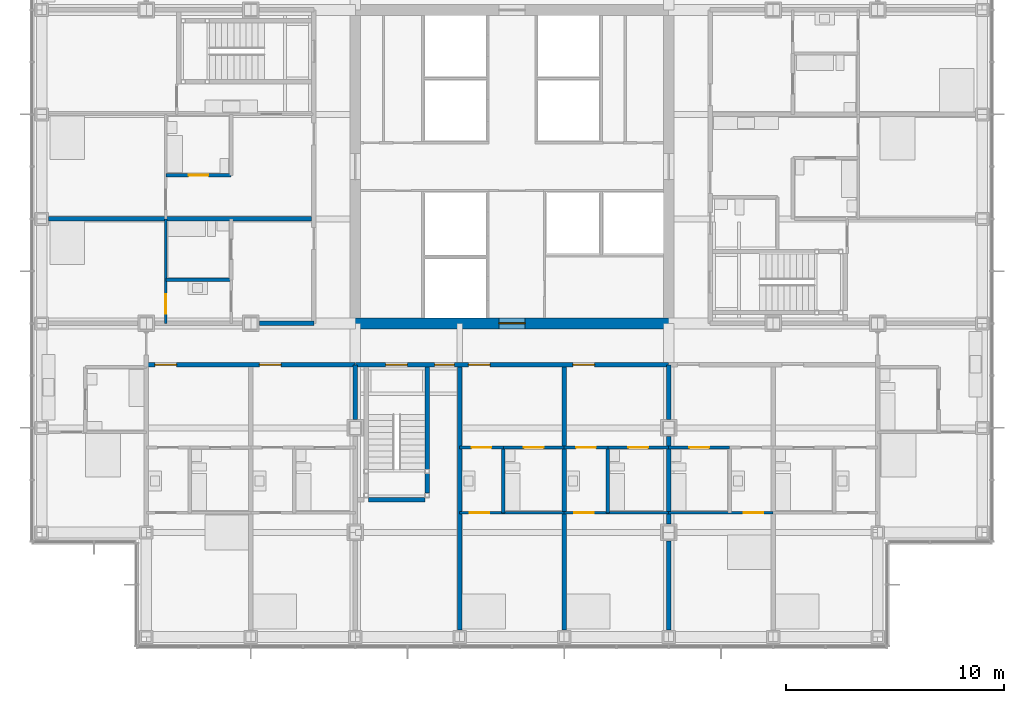
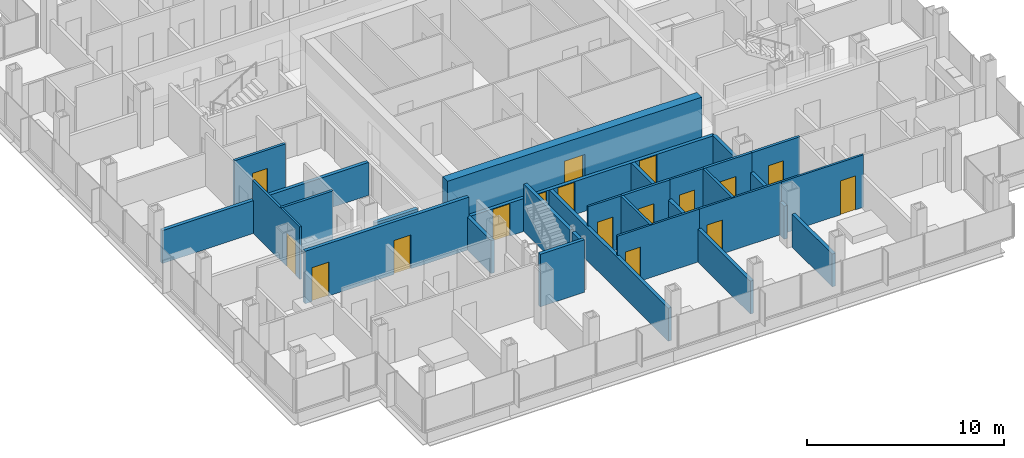
# One storey, part 14 of 22: 27 walls, 17 doors, 17 openings.
"""IFC4 building model written with IfcOpenShell, lengths in metres."""

from ifc_helpers import new_model, si_unit, direction, frame, frame_2d, origin, place, context, subcontext, project, spatial, rectangle, extrude, material, layer, layer_set, type_object, element, fill, save


model = new_model("IFC4")

# Units and contexts
model_context = context("Model", 3, precision=1e-05, world=origin(), true_north=direction((0.0, 1.0)))
body_context = subcontext(model_context, "Body", "Model", "MODEL_VIEW")
ifc_project = project(units=[si_unit("LENGTHUNIT", "METRE"), si_unit("AREAUNIT", "SQUARE_METRE"), si_unit("VOLUMEUNIT", "CUBIC_METRE"), si_unit("PLANEANGLEUNIT", "RADIAN"), si_unit("MASSUNIT", "GRAM", prefix="KILO")], contexts=[model_context])

# Site, building, storey
site_placement = place(None, origin())
site = spatial("IfcSite", under=ifc_project, at=site_placement, CompositionType="ELEMENT")
building_placement = place(site_placement, origin())
building = spatial("IfcBuilding", under=site, at=building_placement, Name="Kvirike Care Tower", CompositionType="ELEMENT")
storey_placement = place(building_placement, frame((0.0, 0.0, 76.0)))
storey = spatial("IfcBuildingStorey", under=building, at=storey_placement, Name="L20", CompositionType="ELEMENT", Elevation=76.0)

# Wall, opening, door
ifc_material_1 = material(Name="Moisture-resistant board partition", Category="gypsum")
ifc_layer_1 = layer(ifc_material_1, 0.14990234375)
ifc_layer_set_1 = layer_set([ifc_layer_1], Name="BATHROOM WALL 150")
wall_type_1 = type_object("IfcWallType", Name="BATHROOM WALL 150", PredefinedType="PARTITIONING", material=ifc_layer_set_1)
wall_1_placement = place(storey_placement, frame((5.699951171875, 35.60009765625, 0.0), z_axis=(0.0, 0.0, 1.0), x_axis=(1.0, 0.0, 0.0)))
wall_1 = element("IfcWall", 1, at=wall_1_placement, inside=storey, type_object=wall_type_1, Name="Bathroom Wall 150 L20", PredefinedType="PARTITIONING", context=body_context, shape_type="SweptSolid", body=[
    extrude(rectangle(XDim=3.0, YDim=0.14990234375, at=frame_2d((1.5, 0.0))), origin(), (0.0, 0.0, 1.0), 3.25),
])
opening_1_placement = place(wall_1_placement, frame((1.050048828125, 0.0, 0.0)))
opening_1 = element("IfcOpeningElement", 2, at=opening_1_placement, cuts=wall_1, Name="Opening 20-012", PredefinedType="OPENING", context=body_context, shape_type="SweptSolid", body=[
    extrude(rectangle(XDim=0.89990234375, YDim=2.10009765625, at=frame_2d((0.449951171875, 1.050048828125))), frame((0.0, 0.08544921875, 0.0), z_axis=(0.0, -1.0, 0.0), x_axis=(1.0, 0.0, 0.0)), (0.0, 0.0, 1.0), 0.1708984375),
])
ifc_material_2 = material(Name="Timber door set", Category="wood")
door_type_1 = type_object("IfcDoorType", Name="BATHROOM DOOR 900", OperationType="SINGLE_SWING_RIGHT", PredefinedType="DOOR", material=ifc_material_2)
door_1_placement = place(opening_1_placement, origin())
door_1 = element("IfcDoor", 3, at=door_1_placement, inside=storey, type_object=door_type_1, Name="Bathroom door", OperationType="SINGLE_SWING_RIGHT", OverallHeight=2.10009765625, OverallWidth=0.89990234375, PredefinedType="DOOR", context=body_context, shape_type="SweptSolid", body=[
    extrude(rectangle(XDim=0.89990234375, YDim=2.10009765625, at=frame_2d((0.449951171875, 1.050048828125))), frame((0.0, 0.02197265625, 0.0), z_axis=(0.0, -1.0, 0.0), x_axis=(1.0, 0.0, 0.0)), (0.0, 0.0, 1.0), 0.0439453125),
])
fill(opening_1, door_1)

# Walls
for number, where, z_axis, x_axis, name in (
    (4, (5.699951171875, 30.800048828125, 0.0), (0.0, 0.0, 1.0), (1.0, 0.0, 0.0), "Bathroom Wall 150 L20"),
    (5, (21.199951171875, 20.10009765625, 0.0), (0.0, 0.0, 1.0), (0.0, 1.0, 0.0), "Bathroom Wall 150 L20"),
):
    element("IfcWall", number, at=place(storey_placement, frame(where, z_axis=z_axis, x_axis=x_axis)), inside=storey, type_object=wall_type_1, Name=name, PredefinedType="PARTITIONING", context=body_context, shape_type="SweptSolid", body=[
        extrude(rectangle(XDim=3.0, YDim=0.14990234375, at=frame_2d((1.5, 0.0))), origin(), (0.0, 0.0, 1.0), 3.25),
    ])

# Wall, opening, door
wall_2_placement = place(storey_placement, frame((21.199951171875, 23.10009765625, 0.0), z_axis=(0.0, 0.0, 1.0), x_axis=(1.0, 0.0, 0.0)))
wall_2 = element("IfcWall", 6, at=wall_2_placement, inside=storey, type_object=wall_type_1, Name="Bathroom Wall 150 L20", PredefinedType="PARTITIONING", context=body_context, shape_type="SweptSolid", body=[
    extrude(rectangle(XDim=2.800048828125, YDim=0.14990234375, at=frame_2d((1.39990234375, 0.0))), origin(), (0.0, 0.0, 1.0), 3.25),
])
opening_2_placement = place(wall_2_placement, frame((0.949951171875, 0.0, 0.0)))
opening_2 = element("IfcOpeningElement", 7, at=opening_2_placement, cuts=wall_2, Name="Opening 20-033", PredefinedType="OPENING", context=body_context, shape_type="SweptSolid", body=[
    extrude(rectangle(XDim=0.89990234375, YDim=2.10009765625, at=frame_2d((0.449951171875, 1.050048828125))), frame((0.0, 0.08544921875, 0.0), z_axis=(0.0, -1.0, 0.0), x_axis=(1.0, 0.0, 0.0)), (0.0, 0.0, 1.0), 0.1708984375),
])
door_2_placement = place(opening_2_placement, frame((0.89990234375, 0.0, 0.0), z_axis=(0.0, 0.0, 1.0), x_axis=(-1.0, 0.0, 0.0)))
door_2 = element("IfcDoor", 8, at=door_2_placement, inside=storey, type_object=door_type_1, Name="Bathroom door", OperationType="SINGLE_SWING_LEFT", OverallHeight=2.10009765625, OverallWidth=0.89990234375, PredefinedType="DOOR", context=body_context, shape_type="SweptSolid", body=[
    extrude(rectangle(XDim=0.89990234375, YDim=2.10009765625, at=frame_2d((0.449951171875, 1.050048828125))), frame((0.0, 0.02197265625, 0.0), z_axis=(0.0, -1.0, 0.0), x_axis=(1.0, 0.0, 0.0)), (0.0, 0.0, 1.0), 0.0439453125),
])
fill(opening_2, door_2)

# Wall
wall_3_placement = place(storey_placement, frame((26.0, 20.10009765625, 0.0), z_axis=(0.0, 0.0, 1.0), x_axis=(0.0, 1.0, 0.0)))
element("IfcWall", 9, at=wall_3_placement, inside=storey, type_object=wall_type_1, Name="Bathroom Wall 150 L20", PredefinedType="PARTITIONING", context=body_context, shape_type="SweptSolid", body=[
    extrude(rectangle(XDim=3.0, YDim=0.14990234375, at=frame_2d((1.5, 0.0))), origin(), (0.0, 0.0, 1.0), 3.25),
])

# Wall, opening, door
wall_4_placement = place(storey_placement, frame((26.0, 23.10009765625, 0.0), z_axis=(0.0, 0.0, 1.0), x_axis=(1.0, 0.0, 0.0)))
wall_4 = element("IfcWall", 10, at=wall_4_placement, inside=storey, type_object=wall_type_1, Name="Bathroom Wall 150 L20", PredefinedType="PARTITIONING", context=body_context, shape_type="SweptSolid", body=[
    extrude(rectangle(XDim=2.800048828125, YDim=0.14990234375, at=frame_2d((1.39990234375, 0.0))), origin(), (0.0, 0.0, 1.0), 3.25),
])
opening_3_placement = place(wall_4_placement, frame((0.949951171875, 0.0, 0.0)))
opening_3 = element("IfcOpeningElement", 11, at=opening_3_placement, cuts=wall_4, Name="Opening 20-036", PredefinedType="OPENING", context=body_context, shape_type="SweptSolid", body=[
    extrude(rectangle(XDim=0.89990234375, YDim=2.10009765625, at=frame_2d((0.449951171875, 1.050048828125))), frame((0.0, 0.08544921875, 0.0), z_axis=(0.0, -1.0, 0.0), x_axis=(1.0, 0.0, 0.0)), (0.0, 0.0, 1.0), 0.1708984375),
])
door_3_placement = place(opening_3_placement, frame((0.89990234375, 0.0, 0.0), z_axis=(0.0, 0.0, 1.0), x_axis=(-1.0, 0.0, 0.0)))
door_3 = element("IfcDoor", 12, at=door_3_placement, inside=storey, type_object=door_type_1, Name="Bathroom door", OperationType="SINGLE_SWING_LEFT", OverallHeight=2.10009765625, OverallWidth=0.89990234375, PredefinedType="DOOR", context=body_context, shape_type="SweptSolid", body=[
    extrude(rectangle(XDim=0.89990234375, YDim=2.10009765625, at=frame_2d((0.449951171875, 1.050048828125))), frame((0.0, 0.02197265625, 0.0), z_axis=(0.0, -1.0, 0.0), x_axis=(1.0, 0.0, 0.0)), (0.0, 0.0, 1.0), 0.0439453125),
])
fill(opening_3, door_3)

wall_5_placement = place(storey_placement, frame((28.800048828125, 23.10009765625, 0.0), z_axis=(0.0, 0.0, 1.0), x_axis=(1.0, 0.0, 0.0)))
wall_5 = element("IfcWall", 13, at=wall_5_placement, inside=storey, type_object=wall_type_1, Name="Bathroom Wall 150 L20", PredefinedType="PARTITIONING", context=body_context, shape_type="SweptSolid", body=[
    extrude(rectangle(XDim=2.800048828125, YDim=0.14990234375, at=frame_2d((1.39990234375, 0.0))), origin(), (0.0, 0.0, 1.0), 3.25),
])
opening_4_placement = place(wall_5_placement, frame((0.949951171875, 0.0, 0.0)))
opening_4 = element("IfcOpeningElement", 14, at=opening_4_placement, cuts=wall_5, Name="Opening 20-055", PredefinedType="OPENING", context=body_context, shape_type="SweptSolid", body=[
    extrude(rectangle(XDim=0.89990234375, YDim=2.10009765625, at=frame_2d((0.449951171875, 1.050048828125))), frame((0.0, 0.08544921875, 0.0), z_axis=(0.0, -1.0, 0.0), x_axis=(1.0, 0.0, 0.0)), (0.0, 0.0, 1.0), 0.1708984375),
])
door_4_placement = place(opening_4_placement, frame((0.89990234375, 0.0, 0.0), z_axis=(0.0, 0.0, 1.0), x_axis=(-1.0, 0.0, 0.0)))
door_4 = element("IfcDoor", 15, at=door_4_placement, inside=storey, type_object=door_type_1, Name="Bathroom door", OperationType="SINGLE_SWING_RIGHT", OverallHeight=2.10009765625, OverallWidth=0.89990234375, PredefinedType="DOOR", context=body_context, shape_type="SweptSolid", body=[
    extrude(rectangle(XDim=0.89990234375, YDim=2.10009765625, at=frame_2d((0.449951171875, 1.050048828125))), frame((0.0, 0.02197265625, 0.0), z_axis=(0.0, -1.0, 0.0), x_axis=(1.0, 0.0, 0.0)), (0.0, 0.0, 1.0), 0.0439453125),
])
fill(opening_4, door_4)

ifc_material_3 = material(Name="Concrete C60/75", Category="concrete")
ifc_layer_2 = layer(ifc_material_3, 0.5)
ifc_layer_set_2 = layer_set([ifc_layer_2], Name="CORE WALL 500 C60-75")
wall_type_2 = type_object("IfcWallType", Name="CORE WALL 500 C60-75", PredefinedType="SHEAR", material=ifc_layer_set_2)
wall_6_placement = place(storey_placement, frame((14.14990234375, 28.800048828125, -0.169921875), z_axis=(0.0, 0.0, 1.0), x_axis=(1.0, 0.0, 0.0)))
wall_6 = element("IfcWall", 16, at=wall_6_placement, inside=storey, type_object=wall_type_2, Name="Core wall S L20", PredefinedType="SHEAR", context=body_context, shape_type="SweptSolid", body=[
    extrude(rectangle(XDim=14.900146484375, YDim=0.5, at=frame_2d((7.4501953125, 0.0))), origin(), (0.0, 0.0, 1.0), 3.419921875),
])
opening_5_placement = place(wall_6_placement, frame((6.85009765625, 0.0, 0.169921875)))
opening_5 = element("IfcOpeningElement", 17, at=opening_5_placement, cuts=wall_6, Name="Opening 20-098", PredefinedType="OPENING", context=body_context, shape_type="SweptSolid", body=[
    extrude(rectangle(XDim=1.199951171875, YDim=2.10009765625, at=frame_2d((0.60009765625, 1.050048828125))), frame((0.0, 0.260498046875, 0.0), z_axis=(0.0, -1.0, 0.0), x_axis=(1.0, 0.0, 0.0)), (0.0, 0.0, 1.0), 0.52099609375),
])
ifc_material_4 = material(Name="Timber door set", Category="wood")
door_type_2 = type_object("IfcDoorType", Name="CORE DOOR 1200", OperationType="SINGLE_SWING_LEFT", PredefinedType="DOOR", material=ifc_material_4)
door_5_placement = place(opening_5_placement, origin())
door_5 = element("IfcDoor", 18, at=door_5_placement, inside=storey, type_object=door_type_2, Name="Core door S L20", OperationType="SINGLE_SWING_LEFT", OverallHeight=2.10009765625, OverallWidth=1.199951171875, PredefinedType="DOOR", context=body_context, shape_type="SweptSolid", body=[
    extrude(rectangle(XDim=1.199951171875, YDim=2.10009765625, at=frame_2d((0.60009765625, 1.050048828125))), frame((0.0, 0.02685546875, 0.0), z_axis=(0.0, -1.0, 0.0), x_axis=(1.0, 0.0, 0.0)), (0.0, 0.0, 1.0), 0.053955078125),
])
fill(opening_5, door_5)

# Wall, openings, doors
ifc_material_5 = material(Name="Plasterboard corridor wall", Category="gypsum")
ifc_layer_3 = layer(ifc_material_5, 0.199951171875)
ifc_layer_set_3 = layer_set([ifc_layer_3], Name="CORRIDOR WALL 200")
wall_type_3 = type_object("IfcWallType", Name="CORRIDOR WALL 200", PredefinedType="PARTITIONING", material=ifc_layer_set_3)
wall_7_placement = place(storey_placement, frame((4.800048828125, 26.89990234375, 0.0), z_axis=(0.0, 0.0, 1.0), x_axis=(1.0, 0.0, 0.0)))
wall_7 = element("IfcWall", 19, at=wall_7_placement, inside=storey, type_object=wall_type_3, Name="Corridor Wall 200 L20", PredefinedType="PARTITIONING", context=body_context, shape_type="SweptSolid", body=[
    extrude(rectangle(XDim=9.599853515625, YDim=0.199951171875, at=frame_2d((4.7998046875, 0.0))), origin(), (0.0, 0.0, 1.0), 3.25),
])
opening_6_placement = place(wall_7_placement, frame((0.39990234375, 0.0, 0.0)))
opening_6 = element("IfcOpeningElement", 20, at=opening_6_placement, cuts=wall_7, Name="Opening 20-009", PredefinedType="OPENING", context=body_context, shape_type="SweptSolid", body=[
    extrude(rectangle(XDim=1.0, YDim=2.10009765625, at=frame_2d((0.5, 1.050048828125))), frame((0.0, 0.110595703125, 0.0), z_axis=(0.0, -1.0, 0.0), x_axis=(1.0, 0.0, 0.0)), (0.0, 0.0, 1.0), 0.220947265625),
])
opening_7_placement = place(wall_7_placement, frame((5.199951171875, 0.0, 0.0)))
opening_7 = element("IfcOpeningElement", 21, at=opening_7_placement, cuts=wall_7, Name="Opening 20-010", PredefinedType="OPENING", context=body_context, shape_type="SweptSolid", body=[
    extrude(rectangle(XDim=1.0, YDim=2.10009765625, at=frame_2d((0.5, 1.050048828125))), frame((0.0, 0.110595703125, 0.0), z_axis=(0.0, -1.0, 0.0), x_axis=(1.0, 0.0, 0.0)), (0.0, 0.0, 1.0), 0.220947265625),
])
ifc_material_6 = material(Name="Timber door set", Category="wood")
door_type_3 = type_object("IfcDoorType", Name="FLAT ENTRANCE DOOR 1000", OperationType="SINGLE_SWING_LEFT", PredefinedType="DOOR", material=ifc_material_6)
door_6_placement = place(opening_6_placement, frame((1.0, 0.0, 0.0), z_axis=(0.0, 0.0, 1.0), x_axis=(-1.0, 0.0, 0.0)))
door_6 = element("IfcDoor", 22, at=door_6_placement, inside=storey, type_object=door_type_3, Name="Studio apartment entrance", OperationType="SINGLE_SWING_LEFT", OverallHeight=2.10009765625, OverallWidth=1.0, PredefinedType="DOOR", context=body_context, shape_type="SweptSolid", body=[
    extrude(rectangle(XDim=1.0, YDim=2.10009765625, at=frame_2d((0.5, 1.050048828125))), frame((0.0, 0.02685546875, 0.0), z_axis=(0.0, -1.0, 0.0), x_axis=(1.0, 0.0, 0.0)), (0.0, 0.0, 1.0), 0.053955078125),
])
fill(opening_6, door_6)
door_7_placement = place(opening_7_placement, frame((1.0, 0.0, 0.0), z_axis=(0.0, 0.0, 1.0), x_axis=(-1.0, 0.0, 0.0)))
door_7 = element("IfcDoor", 23, at=door_7_placement, inside=storey, type_object=door_type_3, Name="Studio apartment entrance", OperationType="SINGLE_SWING_LEFT", OverallHeight=2.10009765625, OverallWidth=1.0, PredefinedType="DOOR", context=body_context, shape_type="SweptSolid", body=[
    extrude(rectangle(XDim=1.0, YDim=2.10009765625, at=frame_2d((0.5, 1.050048828125))), frame((0.0, 0.02685546875, 0.0), z_axis=(0.0, -1.0, 0.0), x_axis=(1.0, 0.0, 0.0)), (0.0, 0.0, 1.0), 0.053955078125),
])
fill(opening_7, door_7)

wall_8_placement = place(storey_placement, frame((14.39990234375, 26.89990234375, 0.0), z_axis=(0.0, 0.0, 1.0), x_axis=(1.0, 0.0, 0.0)))
wall_8 = element("IfcWall", 24, at=wall_8_placement, inside=storey, type_object=wall_type_3, Name="Corridor Wall 200 L20", PredefinedType="PARTITIONING", context=body_context, shape_type="SweptSolid", body=[
    extrude(rectangle(XDim=14.400146484375, YDim=0.199951171875, at=frame_2d((7.2001953125, 0.0))), origin(), (0.0, 0.0, 1.0), 2.0400390625),
])
opening_8_placement = place(wall_8_placement, frame((1.39990234375, 0.0, 0.0)))
opening_8 = element("IfcOpeningElement", 25, at=opening_8_placement, cuts=wall_8, Name="Opening 20-039", PredefinedType="OPENING", context=body_context, shape_type="SweptSolid", body=[
    extrude(rectangle(XDim=1.0, YDim=2.0, at=frame_2d((0.5, 1.0))), frame((0.0, 0.110595703125, 0.0), z_axis=(0.0, -1.0, 0.0), x_axis=(1.0, 0.0, 0.0)), (0.0, 0.0, 1.0), 0.220947265625),
])
opening_9_placement = place(wall_8_placement, frame((3.64990234375, 0.0, 0.0)))
opening_9 = element("IfcOpeningElement", 26, at=opening_9_placement, cuts=wall_8, Name="Opening 20-040", PredefinedType="OPENING", context=body_context, shape_type="SweptSolid", body=[
    extrude(rectangle(XDim=0.89990234375, YDim=2.0, at=frame_2d((0.449951171875, 1.0))), frame((0.0, 0.110595703125, 0.0), z_axis=(0.0, -1.0, 0.0), x_axis=(1.0, 0.0, 0.0)), (0.0, 0.0, 1.0), 0.220947265625),
])
opening_10_placement = place(wall_8_placement, frame((5.199951171875, 0.0, 0.0)))
opening_10 = element("IfcOpeningElement", 27, at=opening_10_placement, cuts=wall_8, Name="Opening 20-041", PredefinedType="OPENING", context=body_context, shape_type="SweptSolid", body=[
    extrude(rectangle(XDim=1.0, YDim=2.0, at=frame_2d((0.5, 1.0))), frame((0.0, 0.110595703125, 0.0), z_axis=(0.0, -1.0, 0.0), x_axis=(1.0, 0.0, 0.0)), (0.0, 0.0, 1.0), 0.220947265625),
])
opening_11_placement = place(wall_8_placement, frame((10.0, 0.0, 0.0)))
opening_11 = element("IfcOpeningElement", 28, at=opening_11_placement, cuts=wall_8, Name="Opening 20-042", PredefinedType="OPENING", context=body_context, shape_type="SweptSolid", body=[
    extrude(rectangle(XDim=1.0, YDim=2.0, at=frame_2d((0.5, 1.0))), frame((0.0, 0.110595703125, 0.0), z_axis=(0.0, -1.0, 0.0), x_axis=(1.0, 0.0, 0.0)), (0.0, 0.0, 1.0), 0.220947265625),
])
ifc_material_7 = material(Name="Timber door set", Category="wood")
door_type_4 = type_object("IfcDoorType", Name="FLAT ENTRANCE DOOR 1000 x 2000", OperationType="SINGLE_SWING_LEFT", PredefinedType="DOOR", material=ifc_material_7)
door_8_placement = place(opening_10_placement, frame((1.0, 0.0, 0.0), z_axis=(0.0, 0.0, 1.0), x_axis=(-1.0, 0.0, 0.0)))
door_8 = element("IfcDoor", 29, at=door_8_placement, inside=storey, type_object=door_type_4, Name="Studio apartment entrance", OperationType="SINGLE_SWING_LEFT", OverallHeight=2.0, OverallWidth=1.0, PredefinedType="DOOR", context=body_context, shape_type="SweptSolid", body=[
    extrude(rectangle(XDim=1.0, YDim=2.0, at=frame_2d((0.5, 1.0))), frame((0.0, 0.02685546875, 0.0), z_axis=(0.0, -1.0, 0.0), x_axis=(1.0, 0.0, 0.0)), (0.0, 0.0, 1.0), 0.053955078125),
])
fill(opening_10, door_8)
door_9_placement = place(opening_11_placement, frame((1.0, 0.0, 0.0), z_axis=(0.0, 0.0, 1.0), x_axis=(-1.0, 0.0, 0.0)))
door_9 = element("IfcDoor", 30, at=door_9_placement, inside=storey, type_object=door_type_4, Name="Studio apartment entrance", OperationType="SINGLE_SWING_LEFT", OverallHeight=2.0, OverallWidth=1.0, PredefinedType="DOOR", context=body_context, shape_type="SweptSolid", body=[
    extrude(rectangle(XDim=1.0, YDim=2.0, at=frame_2d((0.5, 1.0))), frame((0.0, 0.02685546875, 0.0), z_axis=(0.0, -1.0, 0.0), x_axis=(1.0, 0.0, 0.0)), (0.0, 0.0, 1.0), 0.053955078125),
])
fill(opening_11, door_9)
ifc_material_8 = material(Name="Timber door set", Category="wood")
door_type_5 = type_object("IfcDoorType", Name="STAIR DOOR 1000 x 2000", OperationType="SINGLE_SWING_LEFT", PredefinedType="DOOR", material=ifc_material_8)
door_10_placement = place(opening_8_placement, frame((1.0, 0.0, 0.0), z_axis=(0.0, 0.0, 1.0), x_axis=(-1.0, 0.0, 0.0)))
door_10 = element("IfcDoor", 31, at=door_10_placement, inside=storey, type_object=door_type_5, Name="Stair 5 door", OperationType="SINGLE_SWING_RIGHT", OverallHeight=2.0, OverallWidth=1.0, PredefinedType="DOOR", context=body_context, shape_type="SweptSolid", body=[
    extrude(rectangle(XDim=1.0, YDim=2.0, at=frame_2d((0.5, 1.0))), frame((0.0, 0.031982421875, 0.0), z_axis=(0.0, -1.0, 0.0), x_axis=(1.0, 0.0, 0.0)), (0.0, 0.0, 1.0), 0.06396484375),
])
fill(opening_8, door_10)
ifc_material_9 = material(Name="Timber door set", Category="wood")
door_type_6 = type_object("IfcDoorType", Name="STORE DOOR 900 x 2000", OperationType="SINGLE_SWING_LEFT", PredefinedType="DOOR", material=ifc_material_9)
door_11_placement = place(opening_9_placement, frame((0.89990234375, 0.0, 0.0), z_axis=(0.0, 0.0, 1.0), x_axis=(-1.0, 0.0, 0.0)))
door_11 = element("IfcDoor", 32, at=door_11_placement, inside=storey, type_object=door_type_6, Name="Housekeeping room door", OperationType="SINGLE_SWING_RIGHT", OverallHeight=2.0, OverallWidth=0.89990234375, PredefinedType="DOOR", context=body_context, shape_type="SweptSolid", body=[
    extrude(rectangle(XDim=0.89990234375, YDim=2.0, at=frame_2d((0.449951171875, 1.0))), frame((0.0, 0.02685546875, 0.0), z_axis=(0.0, -1.0, 0.0), x_axis=(1.0, 0.0, 0.0)), (0.0, 0.0, 1.0), 0.053955078125),
])
fill(opening_9, door_11)

# Wall, opening, door
ifc_material_10 = material(Name="Plasterboard partition", Category="gypsum")
ifc_layer_4 = layer(ifc_material_10, 0.1201171875)
ifc_layer_set_4 = layer_set([ifc_layer_4], Name="PARTITION 120")
wall_type_4 = type_object("IfcWallType", Name="PARTITION 120", PredefinedType="PARTITIONING", material=ifc_layer_set_4)
wall_9_placement = place(storey_placement, frame((5.699951171875, 33.60009765625, 0.0), z_axis=(0.0, 0.0, 1.0), x_axis=(0.0, -1.0, 0.0)))
wall_9 = element("IfcWall", 33, at=wall_9_placement, inside=storey, type_object=wall_type_4, Name="Partition 120 L20", PredefinedType="PARTITIONING", context=body_context, shape_type="SweptSolid", body=[
    extrude(rectangle(XDim=4.800048828125, YDim=0.1201171875, at=frame_2d((2.39990234375, 0.0))), origin(), (0.0, 0.0, 1.0), 3.25),
])
opening_12_placement = place(wall_9_placement, frame((3.449951171875, 0.0, 0.0)))
opening_12 = element("IfcOpeningElement", 34, at=opening_12_placement, cuts=wall_9, Name="Opening 20-018", PredefinedType="OPENING", context=body_context, shape_type="SweptSolid", body=[
    extrude(rectangle(XDim=0.89990234375, YDim=2.10009765625, at=frame_2d((0.449951171875, 1.050048828125))), frame((0.0, 0.070556640625, 0.0), z_axis=(0.0, -1.0, 0.0), x_axis=(1.0, 0.0, 0.0)), (0.0, 0.0, 1.0), 0.14111328125),
])
ifc_material_11 = material(Name="Timber door set", Category="wood")
door_type_7 = type_object("IfcDoorType", Name="INTERNAL DOOR 900", OperationType="SINGLE_SWING_LEFT", PredefinedType="DOOR", material=ifc_material_11)
door_12_placement = place(opening_12_placement, origin())
door_12 = element("IfcDoor", 35, at=door_12_placement, inside=storey, type_object=door_type_7, Name="Studio apartment living room door", OperationType="SINGLE_SWING_LEFT", OverallHeight=2.10009765625, OverallWidth=0.89990234375, PredefinedType="DOOR", context=body_context, shape_type="SweptSolid", body=[
    extrude(rectangle(XDim=0.89990234375, YDim=2.10009765625, at=frame_2d((0.449951171875, 1.050048828125))), frame((0.0, 0.02197265625, 0.0), z_axis=(0.0, -1.0, 0.0), x_axis=(1.0, 0.0, 0.0)), (0.0, 0.0, 1.0), 0.0439453125),
])
fill(opening_12, door_12)

wall_10_placement = place(storey_placement, frame((19.199951171875, 23.10009765625, 0.0), z_axis=(0.0, 0.0, 1.0), x_axis=(1.0, 0.0, 0.0)))
wall_10 = element("IfcWall", 36, at=wall_10_placement, inside=storey, type_object=wall_type_4, Name="Partition 120 L20", PredefinedType="PARTITIONING", context=body_context, shape_type="SweptSolid", body=[
    extrude(rectangle(XDim=2.0, YDim=0.1201171875, at=frame_2d((1.0, 0.0))), origin(), (0.0, 0.0, 1.0), 3.25),
])
opening_13_placement = place(wall_10_placement, frame((0.550048828125, 0.0, 0.0)))
opening_13 = element("IfcOpeningElement", 37, at=opening_13_placement, cuts=wall_10, Name="Opening 20-034", PredefinedType="OPENING", context=body_context, shape_type="SweptSolid", body=[
    extrude(rectangle(XDim=0.89990234375, YDim=2.10009765625, at=frame_2d((0.449951171875, 1.050048828125))), frame((0.0, 0.070556640625, 0.0), z_axis=(0.0, -1.0, 0.0), x_axis=(1.0, 0.0, 0.0)), (0.0, 0.0, 1.0), 0.14111328125),
])
door_13_placement = place(opening_13_placement, frame((0.89990234375, 0.0, 0.0), z_axis=(0.0, 0.0, 1.0), x_axis=(-1.0, 0.0, 0.0)))
door_13 = element("IfcDoor", 38, at=door_13_placement, inside=storey, type_object=door_type_7, Name="Kitchen door", OperationType="SINGLE_SWING_RIGHT", OverallHeight=2.10009765625, OverallWidth=0.89990234375, PredefinedType="DOOR", context=body_context, shape_type="SweptSolid", body=[
    extrude(rectangle(XDim=0.89990234375, YDim=2.10009765625, at=frame_2d((0.449951171875, 1.050048828125))), frame((0.0, 0.02197265625, 0.0), z_axis=(0.0, -1.0, 0.0), x_axis=(1.0, 0.0, 0.0)), (0.0, 0.0, 1.0), 0.0439453125),
])
fill(opening_13, door_13)

wall_11_placement = place(storey_placement, frame((19.199951171875, 20.10009765625, 0.0), z_axis=(0.0, 0.0, 1.0), x_axis=(1.0, 0.0, 0.0)))
wall_11 = element("IfcWall", 39, at=wall_11_placement, inside=storey, type_object=wall_type_4, Name="Partition 120 L20", PredefinedType="PARTITIONING", context=body_context, shape_type="SweptSolid", body=[
    extrude(rectangle(XDim=4.800048828125, YDim=0.1201171875, at=frame_2d((2.39990234375, 0.0))), origin(), (0.0, 0.0, 1.0), 3.25),
])
opening_14_placement = place(wall_11_placement, frame((0.449951171875, 0.0, 0.0)))
opening_14 = element("IfcOpeningElement", 40, at=opening_14_placement, cuts=wall_11, Name="Opening 20-035", PredefinedType="OPENING", context=body_context, shape_type="SweptSolid", body=[
    extrude(rectangle(XDim=0.89990234375, YDim=2.10009765625, at=frame_2d((0.449951171875, 1.050048828125))), frame((0.0, 0.070556640625, 0.0), z_axis=(0.0, -1.0, 0.0), x_axis=(1.0, 0.0, 0.0)), (0.0, 0.0, 1.0), 0.14111328125),
])
door_14_placement = place(opening_14_placement, origin())
door_14 = element("IfcDoor", 41, at=door_14_placement, inside=storey, type_object=door_type_7, Name="Studio apartment living room door", OperationType="SINGLE_SWING_RIGHT", OverallHeight=2.10009765625, OverallWidth=0.89990234375, PredefinedType="DOOR", context=body_context, shape_type="SweptSolid", body=[
    extrude(rectangle(XDim=0.89990234375, YDim=2.10009765625, at=frame_2d((0.449951171875, 1.050048828125))), frame((0.0, 0.02197265625, 0.0), z_axis=(0.0, -1.0, 0.0), x_axis=(1.0, 0.0, 0.0)), (0.0, 0.0, 1.0), 0.0439453125),
])
fill(opening_14, door_14)

wall_12_placement = place(storey_placement, frame((24.0, 23.10009765625, 0.0), z_axis=(0.0, 0.0, 1.0), x_axis=(1.0, 0.0, 0.0)))
wall_12 = element("IfcWall", 42, at=wall_12_placement, inside=storey, type_object=wall_type_4, Name="Partition 120 L20", PredefinedType="PARTITIONING", context=body_context, shape_type="SweptSolid", body=[
    extrude(rectangle(XDim=2.0, YDim=0.1201171875, at=frame_2d((1.0, 0.0))), origin(), (0.0, 0.0, 1.0), 3.25),
])
opening_15_placement = place(wall_12_placement, frame((0.550048828125, 0.0, 0.0)))
opening_15 = element("IfcOpeningElement", 43, at=opening_15_placement, cuts=wall_12, Name="Opening 20-037", PredefinedType="OPENING", context=body_context, shape_type="SweptSolid", body=[
    extrude(rectangle(XDim=0.89990234375, YDim=2.10009765625, at=frame_2d((0.449951171875, 1.050048828125))), frame((0.0, 0.070556640625, 0.0), z_axis=(0.0, -1.0, 0.0), x_axis=(1.0, 0.0, 0.0)), (0.0, 0.0, 1.0), 0.14111328125),
])
door_15_placement = place(opening_15_placement, frame((0.89990234375, 0.0, 0.0), z_axis=(0.0, 0.0, 1.0), x_axis=(-1.0, 0.0, 0.0)))
door_15 = element("IfcDoor", 44, at=door_15_placement, inside=storey, type_object=door_type_7, Name="Kitchen door", OperationType="SINGLE_SWING_RIGHT", OverallHeight=2.10009765625, OverallWidth=0.89990234375, PredefinedType="DOOR", context=body_context, shape_type="SweptSolid", body=[
    extrude(rectangle(XDim=0.89990234375, YDim=2.10009765625, at=frame_2d((0.449951171875, 1.050048828125))), frame((0.0, 0.02197265625, 0.0), z_axis=(0.0, -1.0, 0.0), x_axis=(1.0, 0.0, 0.0)), (0.0, 0.0, 1.0), 0.0439453125),
])
fill(opening_15, door_15)

wall_13_placement = place(storey_placement, frame((24.0, 20.10009765625, 0.0), z_axis=(0.0, 0.0, 1.0), x_axis=(1.0, 0.0, 0.0)))
wall_13 = element("IfcWall", 45, at=wall_13_placement, inside=storey, type_object=wall_type_4, Name="Partition 120 L20", PredefinedType="PARTITIONING", context=body_context, shape_type="SweptSolid", body=[
    extrude(rectangle(XDim=4.800048828125, YDim=0.1201171875, at=frame_2d((2.39990234375, 0.0))), origin(), (0.0, 0.0, 1.0), 3.25),
])
opening_16_placement = place(wall_13_placement, frame((0.449951171875, 0.0, 0.0)))
opening_16 = element("IfcOpeningElement", 46, at=opening_16_placement, cuts=wall_13, Name="Opening 20-038", PredefinedType="OPENING", context=body_context, shape_type="SweptSolid", body=[
    extrude(rectangle(XDim=0.89990234375, YDim=2.10009765625, at=frame_2d((0.449951171875, 1.050048828125))), frame((0.0, 0.070556640625, 0.0), z_axis=(0.0, -1.0, 0.0), x_axis=(1.0, 0.0, 0.0)), (0.0, 0.0, 1.0), 0.14111328125),
])
door_16_placement = place(opening_16_placement, origin())
door_16 = element("IfcDoor", 47, at=door_16_placement, inside=storey, type_object=door_type_7, Name="Studio apartment living room door", OperationType="SINGLE_SWING_RIGHT", OverallHeight=2.10009765625, OverallWidth=0.89990234375, PredefinedType="DOOR", context=body_context, shape_type="SweptSolid", body=[
    extrude(rectangle(XDim=0.89990234375, YDim=2.10009765625, at=frame_2d((0.449951171875, 1.050048828125))), frame((0.0, 0.02197265625, 0.0), z_axis=(0.0, -1.0, 0.0), x_axis=(1.0, 0.0, 0.0)), (0.0, 0.0, 1.0), 0.0439453125),
])
fill(opening_16, door_16)

wall_14_placement = place(storey_placement, frame((28.800048828125, 20.10009765625, 0.0), z_axis=(0.0, 0.0, 1.0), x_axis=(1.0, 0.0, 0.0)))
wall_14 = element("IfcWall", 48, at=wall_14_placement, inside=storey, type_object=wall_type_4, Name="Partition 120 L20", PredefinedType="PARTITIONING", context=body_context, shape_type="SweptSolid", body=[
    extrude(rectangle(XDim=4.800048828125, YDim=0.1201171875, at=frame_2d((2.39990234375, 0.0))), origin(), (0.0, 0.0, 1.0), 3.25),
])
opening_17_placement = place(wall_14_placement, frame((3.449951171875, 0.0, 0.0)))
opening_17 = element("IfcOpeningElement", 49, at=opening_17_placement, cuts=wall_14, Name="Opening 20-057", PredefinedType="OPENING", context=body_context, shape_type="SweptSolid", body=[
    extrude(rectangle(XDim=0.89990234375, YDim=2.10009765625, at=frame_2d((0.449951171875, 1.050048828125))), frame((0.0, 0.070556640625, 0.0), z_axis=(0.0, -1.0, 0.0), x_axis=(1.0, 0.0, 0.0)), (0.0, 0.0, 1.0), 0.14111328125),
])
door_17_placement = place(opening_17_placement, origin())
door_17 = element("IfcDoor", 50, at=door_17_placement, inside=storey, type_object=door_type_7, Name="Studio apartment living room door", OperationType="SINGLE_SWING_LEFT", OverallHeight=2.10009765625, OverallWidth=0.89990234375, PredefinedType="DOOR", context=body_context, shape_type="SweptSolid", body=[
    extrude(rectangle(XDim=0.89990234375, YDim=2.10009765625, at=frame_2d((0.449951171875, 1.050048828125))), frame((0.0, 0.02197265625, 0.0), z_axis=(0.0, -1.0, 0.0), x_axis=(1.0, 0.0, 0.0)), (0.0, 0.0, 1.0), 0.0439453125),
])
fill(opening_17, door_17)

# Walls
ifc_material_12 = material(Name="Plasterboard party wall", Category="gypsum")
ifc_layer_5 = layer(ifc_material_12, 0.199951171875)
ifc_layer_set_5 = layer_set([ifc_layer_5], Name="PARTY WALL 200")
wall_type_5 = type_object("IfcWallType", Name="PARTY WALL 200", PredefinedType="PARTITIONING", material=ifc_layer_set_5)
wall_15_placement = place(storey_placement, frame((0.320068359375, 33.60009765625, 0.0), z_axis=(0.0, 0.0, 1.0), x_axis=(1.0, 0.0, 0.0)))
element("IfcWall", 51, at=wall_15_placement, inside=storey, type_object=wall_type_5, Name="Party Wall 200 L20", PredefinedType="PARTITIONING", context=body_context, shape_type="SweptSolid", body=[
    extrude(rectangle(XDim=12.079833984375, YDim=0.199951171875, at=frame_2d((6.0400390625, 0.0))), origin(), (0.0, 0.0, 1.0), 2.0400390625),
])
for number, where, z_axis, x_axis, name in (
    (52, (19.199951171875, 14.719970703125, 0.0), (0.0, 0.0, 1.0), (0.0, 1.0, 0.0), "Party Wall 200 L20"),
    (53, (24.0, 14.719970703125, 0.0), (0.0, 0.0, 1.0), (0.0, 1.0, 0.0), "Party Wall 200 L20"),
):
    element("IfcWall", number, at=place(storey_placement, frame(where, z_axis=z_axis, x_axis=x_axis)), inside=storey, type_object=wall_type_5, Name=name, PredefinedType="PARTITIONING", context=body_context, shape_type="SweptSolid", body=[
        extrude(rectangle(XDim=12.080078125, YDim=0.199951171875, at=frame_2d((6.0400390625, 0.0))), origin(), (0.0, 0.0, 1.0), 2.0400390625),
    ])
for number, where, z_axis, x_axis, name in (
    (54, (12.5, 28.800048828125, 0.0), (0.0, 0.0, 1.0), (-1.0, 0.0, 0.0), "Party Wall 200 L20"),
    (55, (14.39990234375, 24.39501953125, 0.0), (0.0, 0.0, 1.0), (0.0, 1.0, 0.0), "Party Wall 200 L20"),
):
    element("IfcWall", number, at=place(storey_placement, frame(where, z_axis=z_axis, x_axis=x_axis)), inside=storey, type_object=wall_type_5, Name=name, PredefinedType="PARTITIONING", context=body_context, shape_type="SweptSolid", body=[
        extrude(rectangle(XDim=2.5048828125, YDim=0.199951171875, at=frame_2d((1.25244140625, 0.0))), origin(), (0.0, 0.0, 1.0), 2.0400390625),
    ])
wall_16_placement = place(storey_placement, frame((28.800048828125, 14.719970703125, 0.0), z_axis=(0.0, 0.0, 1.0), x_axis=(0.0, 1.0, 0.0)))
element("IfcWall", 56, at=wall_16_placement, inside=storey, type_object=wall_type_5, Name="Party Wall 200 L20", PredefinedType="PARTITIONING", context=body_context, shape_type="SweptSolid", body=[
    extrude(rectangle(XDim=4.0849609375, YDim=0.199951171875, at=frame_2d((2.04248046875, 0.0))), origin(), (0.0, 0.0, 1.0), 2.0400390625),
])
wall_17_placement = place(storey_placement, frame((28.800048828125, 19.594970703125, 0.0), z_axis=(0.0, 0.0, 1.0), x_axis=(0.0, 1.0, 0.0)))
element("IfcWall", 57, at=wall_17_placement, inside=storey, type_object=wall_type_5, Name="Party Wall 200 L20", PredefinedType="PARTITIONING", context=body_context, shape_type="SweptSolid", body=[
    extrude(rectangle(XDim=4.010009765625, YDim=0.199951171875, at=frame_2d((2.0048828125, 0.0))), origin(), (0.0, 0.0, 1.0), 2.0400390625),
])
wall_18_placement = place(storey_placement, frame((28.800048828125, 24.39501953125, 0.0), z_axis=(0.0, 0.0, 1.0), x_axis=(0.0, 1.0, 0.0)))
element("IfcWall", 58, at=wall_18_placement, inside=storey, type_object=wall_type_5, Name="Party Wall 200 L20", PredefinedType="PARTITIONING", context=body_context, shape_type="SweptSolid", body=[
    extrude(rectangle(XDim=2.5048828125, YDim=0.199951171875, at=frame_2d((1.25244140625, 0.0))), origin(), (0.0, 0.0, 1.0), 2.0400390625),
])
ifc_material_13 = material(Name="Concrete C40/50", Category="concrete")
ifc_layer_6 = layer(ifc_material_13, 0.199951171875)
ifc_layer_set_6 = layer_set([ifc_layer_6], Name="STAIR WALL 200")
wall_type_6 = type_object("IfcWallType", Name="STAIR WALL 200", PredefinedType="SOLIDWALL", material=ifc_layer_set_6)
wall_19_placement = place(storey_placement, frame((17.699951171875, 21.0, 0.0), z_axis=(0.0, 0.0, 1.0), x_axis=(0.0, 1.0, 0.0)))
element("IfcWall", 59, at=wall_19_placement, inside=storey, type_object=wall_type_6, Name="Stair Wall 200 L20", PredefinedType="SOLIDWALL", context=body_context, shape_type="SweptSolid", body=[
    extrude(rectangle(XDim=0.89990234375, YDim=0.199951171875, at=frame_2d((0.449951171875, 0.0))), origin(), (0.0, 0.0, 1.0), 2.93994140625),
])
wall_20_placement = place(storey_placement, frame((17.699951171875, 22.10009765625, 0.0), z_axis=(0.0, 0.0, 1.0), x_axis=(0.0, 1.0, 0.0)))
element("IfcWall", 60, at=wall_20_placement, inside=storey, type_object=wall_type_6, Name="Stair Wall 200 L20", PredefinedType="SOLIDWALL", context=body_context, shape_type="SweptSolid", body=[
    extrude(rectangle(XDim=4.699951171875, YDim=0.199951171875, at=frame_2d((2.35009765625, 0.0))), origin(), (0.0, 0.0, 1.0), 2.93994140625),
])
wall_21_placement = place(storey_placement, frame((15.0, 20.699951171875, 0.0), z_axis=(0.0, 0.0, 1.0), x_axis=(1.0, 0.0, 0.0)))
element("IfcWall", 61, at=wall_21_placement, inside=storey, type_object=wall_type_6, Name="Stair Wall 200 L20", PredefinedType="SOLIDWALL", context=body_context, shape_type="SweptSolid", body=[
    extrude(rectangle(XDim=2.60009765625, YDim=0.199951171875, at=frame_2d((1.300048828125, 0.0))), origin(), (0.0, 0.0, 1.0), 3.25),
])

save(model, "model.ifc")
